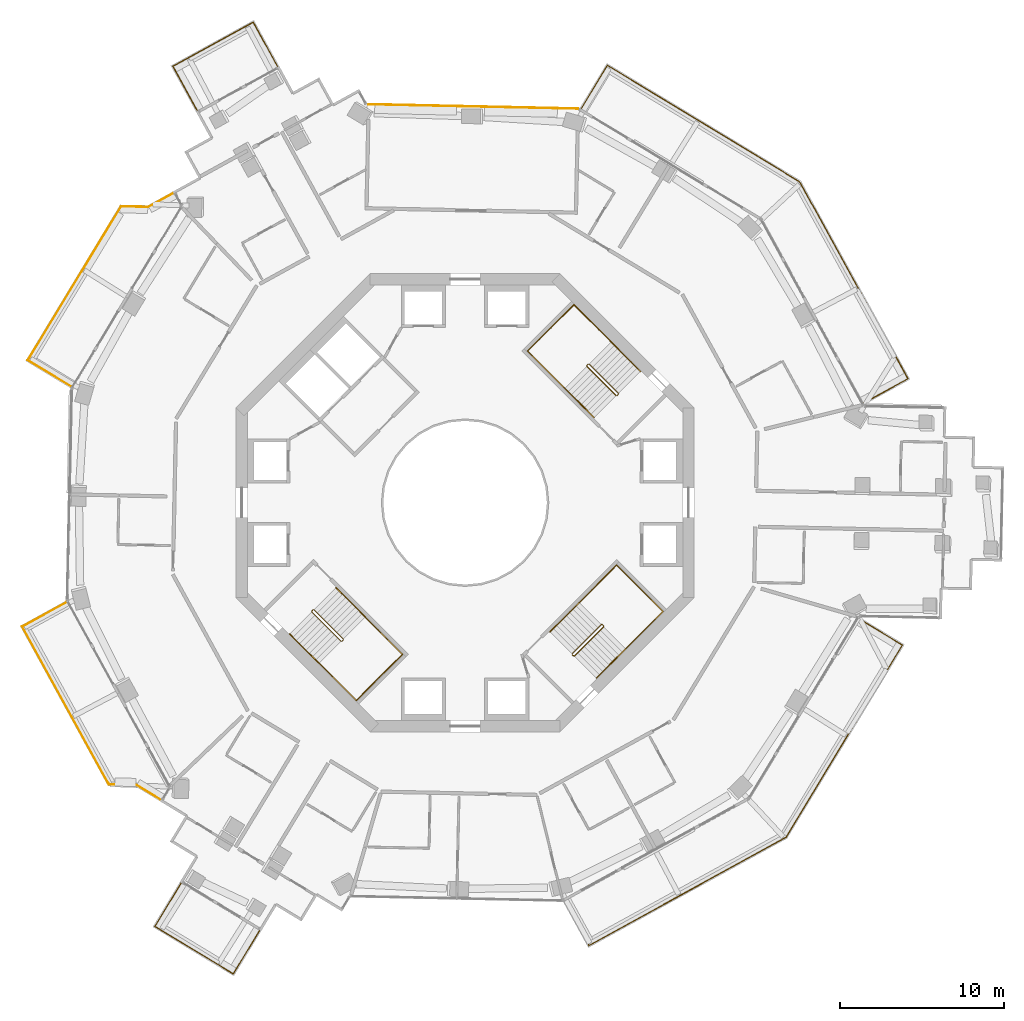
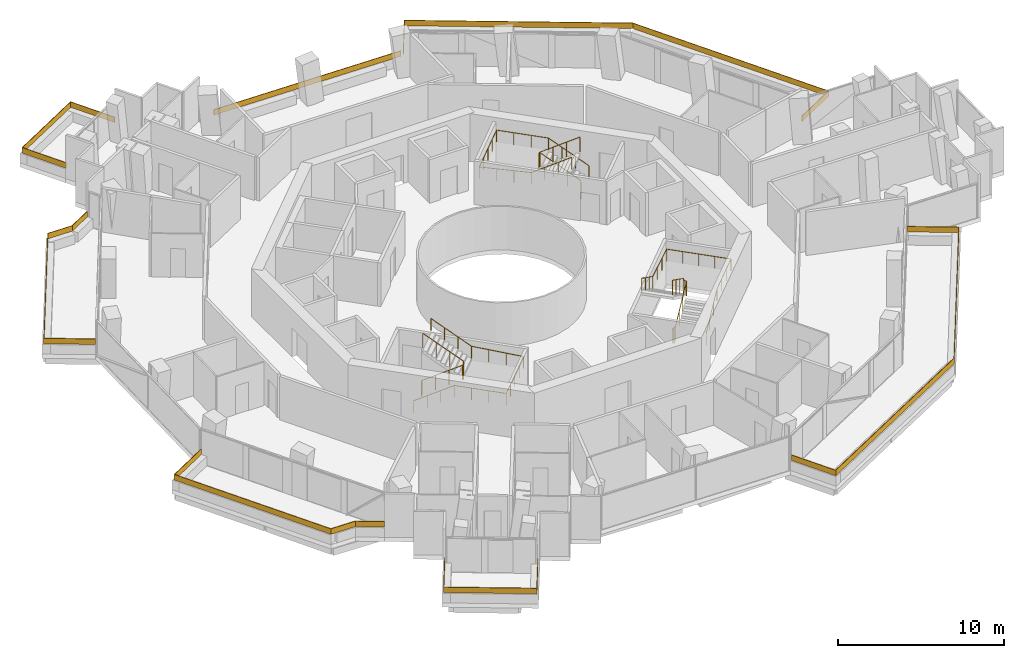
# One storey, part 22 of 22: 13 railings.
"""IFC4 building model written with IfcOpenShell, lengths in metres."""

from ifc_helpers import new_model, si_unit, direction, frame, origin, origin_2d, place, context, subcontext, project, spatial, polyline, rectangle, circle, outline, extrude, material, layer, layer_set, type_object, element, save


model = new_model("IFC4")

# Units and contexts
model_context = context("Model", 3, precision=1e-05, world=origin(), true_north=direction((0.0, 1.0)))
body_context = subcontext(model_context, "Body", "Model", "MODEL_VIEW")
ifc_project = project(units=[si_unit("LENGTHUNIT", "METRE"), si_unit("AREAUNIT", "SQUARE_METRE"), si_unit("VOLUMEUNIT", "CUBIC_METRE"), si_unit("PLANEANGLEUNIT", "RADIAN"), si_unit("MASSUNIT", "GRAM", prefix="KILO")], contexts=[model_context])

# Site, building, storey
site_placement = place(None, origin())
site = spatial("IfcSite", under=ifc_project, at=site_placement, CompositionType="ELEMENT")
building_placement = place(site_placement, origin())
building = spatial("IfcBuilding", under=site, at=building_placement, Name="Verdalira Terraces Hotel", CompositionType="ELEMENT")
storey_placement = place(building_placement, frame((0.0, 0.0, 150.5)))
storey = spatial("IfcBuildingStorey", under=building, at=storey_placement, Name="L36", CompositionType="ELEMENT", Elevation=150.5)

# Railings
ifc_material_1 = material(Name="Laminated glass", Category="glass")
ifc_layer = layer(ifc_material_1, 0.0400390625)
ifc_layer_set = layer_set([ifc_layer], Name="Balcony glass guard 400")
railing_type_1 = type_object("IfcRailingType", Name="Balcony glass guard 400", PredefinedType="GUARDRAIL", material=ifc_layer_set)
railing_1_placement = place(storey_placement, frame((0.0, 0.0, 0.699951)))
element("IfcRailing", 1, at=railing_1_placement, inside=storey, type_object=railing_type_1, Name="Balcony glass guard", PredefinedType="GUARDRAIL", context=body_context, shape_type="SweptSolid", body=[
    extrude(outline(polyline([(-12.950195, 29.327148), (-17.82251, 26.648438), (-16.339111, 23.950439), (-16.374268, 23.931152), (-17.876953, 26.664307), (-12.93457, 29.381348), (-11.431885, 26.648193), (-11.467041, 26.628906), (-12.950195, 29.327148)])), origin(), (0.0, 0.0, 1.0), 0.400146),
])
railing_2_placement = place(storey_placement, frame((0.0, 0.0, 0.699951)))
element("IfcRailing", 2, at=railing_2_placement, inside=storey, type_object=railing_type_1, Name="Balcony glass guard", PredefinedType="GUARDRAIL", context=body_context, shape_type="SweptSolid", body=[
    extrude(outline(polyline([(-19.352539, 18.047607), (-21.01001, 18.082275), (-26.689209, 8.704834), (-24.055664, 7.109863), (-24.076416, 7.075439), (-26.744141, 8.691162), (-21.032227, 18.122803), (-19.362305, 18.087891), (-17.82666, 18.932129), (-17.807373, 18.896973), (-19.352539, 18.047607)])), origin(), (0.0, 0.0, 1.0), 0.400146),
])
railing_3_placement = place(storey_placement, frame((0.0, 0.0, 0.699951)))
element("IfcRailing", 3, at=railing_3_placement, inside=storey, type_object=railing_type_1, Name="Balcony glass guard", PredefinedType="GUARDRAIL", context=body_context, shape_type="SweptSolid", body=[
    extrude(outline(polyline([(-27.030273, -7.57959), (-21.748779, -17.186523), (-20.091309, -17.221436), (-18.583008, -18.134766), (-18.60376, -18.168945), (-20.102783, -17.26123), (-21.772705, -17.226074), (-27.084717, -7.563721), (-24.351562, -6.061035), (-24.332275, -6.096191), (-27.030273, -7.57959)])), origin(), (0.0, 0.0, 1.0), 0.400146),
])
railing_4_placement = place(storey_placement, frame((0.0, 0.0, 0.699951)))
element("IfcRailing", 4, at=railing_4_placement, inside=storey, type_object=railing_type_1, Name="Balcony glass guard", PredefinedType="GUARDRAIL", context=body_context, shape_type="SweptSolid", body=[
    extrude(outline(polyline([(-18.922852, -25.878906), (-14.166992, -28.759033), (-12.572021, -26.125244), (-12.537842, -26.145996), (-14.153564, -28.813965), (-18.977783, -25.892334), (-17.362061, -23.224365), (-17.327881, -23.245117), (-18.922852, -25.878906)])), origin(), (0.0, 0.0, 1.0), 0.400146),
])
railing_5_placement = place(storey_placement, frame((0.0, 0.0, 0.699951)))
element("IfcRailing", 5, at=railing_5_placement, inside=storey, type_object=railing_type_1, Name="Balcony glass guard", PredefinedType="GUARDRAIL", context=body_context, shape_type="SweptSolid", body=[
    extrude(outline(polyline([(7.57959, -27.030273), (19.5896, -20.427734), (26.689209, -8.704834), (24.055664, -7.109863), (24.076416, -7.075439), (26.744141, -8.691162), (19.618164, -20.457764), (7.563721, -27.084717), (6.061035, -24.351562), (6.096191, -24.332275), (7.57959, -27.030273)])), origin(), (0.0, 0.0, 1.0), 0.400146),
])
railing_6_placement = place(storey_placement, frame((0.0, 0.0, 0.699951)))
element("IfcRailing", 6, at=railing_6_placement, inside=storey, type_object=railing_type_1, Name="Balcony glass guard", PredefinedType="GUARDRAIL", context=body_context, shape_type="SweptSolid", body=[
    extrude(outline(polyline([(27.030273, 7.57959), (20.427734, 19.5896), (8.704834, 26.689209), (7.109863, 24.055664), (7.075439, 24.076416), (8.691162, 26.744141), (20.457764, 19.618164), (27.084717, 7.563721), (24.351562, 6.061035), (24.332275, 6.096191), (27.030273, 7.57959)])), origin(), (0.0, 0.0, 1.0), 0.400146),
])
railing_7_placement = place(storey_placement, frame((0.50708, 24.203125, 0.699951), z_axis=(0.0, 0.0, 1.0), x_axis=(-0.999780683, 0.02094242, 0.0)))
element("IfcRailing", 7, at=railing_7_placement, inside=storey, type_object=railing_type_1, Name="Loggia glass guard", PredefinedType="GUARDRAIL", context=body_context, shape_type="SweptSolid", body=[
    extrude(rectangle(XDim=12.840088, YDim=0.040039, at=origin_2d()), origin(), (0.0, 0.0, 1.0), 0.399902),
])
ifc_material_2 = material(Name="Stainless steel", Category="steel")
railing_type_2 = type_object("IfcRailingType", Name="Stair guard 1100", PredefinedType="GUARDRAIL", material=ifc_material_2)
railing_8_placement = place(storey_placement, frame((9.369141, 6.611328, 0.0)))
element("IfcRailing", 8, at=railing_8_placement, inside=storey, type_object=railing_type_2, Name="L36 ST1 stair guard 1", PredefinedType="GUARDRAIL", context=body_context, shape_type="SweptSolid", body=[
    extrude(circle(Radius=0.023926, at=origin_2d()), frame((0.0, 0.0, 1.076172), z_axis=(-0.70832698, -0.705884473, 0.0), x_axis=(0.705884473, -0.70832698, 0.0)), (0.0, 0.0, 1.0), 0.099854),
    extrude(circle(Radius=0.023926, at=origin_2d()), frame((-0.070801, -0.070557, 1.076172), z_axis=(0.300162975, 0.599290904, 0.742127078), x_axis=(-0.894118129, 0.447831187, 0.0)), (0.0, 0.0, 1.0), 0.23584),
    extrude(circle(Radius=0.023926, at=origin_2d()), frame((0.0, 0.070801, 1.250977), z_axis=(-0.599637504, 0.599637504, 0.52997144), x_axis=(-0.707106781, -0.707106781, 0.0)), (0.0, 0.0, 1.0), 2.97168),
    extrude(circle(Radius=0.023926, at=origin_2d()), frame((-1.781982, 1.852783, 2.826172), z_axis=(-1.0, 0.0, 0.0), x_axis=(0.0, -1.0, 0.0)), (0.0, 0.0, 1.0), 0.070557),
    extrude(circle(Radius=0.023926, at=origin_2d()), frame((-1.852539, 1.852783, 2.826172), z_axis=(-0.707106781, -0.707106781, 0.0), x_axis=(0.707106781, -0.707106781, 0.0)), (0.0, 0.0, 1.0), 0.100098),
    extrude(circle(Radius=0.023926, at=origin_2d()), frame((-1.92334, 1.781982, 2.826172), z_axis=(0.0, -0.373842709, 0.927492118), x_axis=(1.0, 0.0, 0.0)), (0.0, 0.0, 1.0), 0.188721),
    extrude(circle(Radius=0.023926, at=origin_2d()), frame((-1.92334, 1.711426, 3.000977), z_axis=(0.599637504, -0.599637504, 0.52997144), x_axis=(0.707106781, 0.707106781, 0.0)), (0.0, 0.0, 1.0), 2.97168),
    extrude(circle(Radius=0.020996, at=origin_2d()), origin(), (0.0, 0.0, 1.0), 1.052002),
    extrude(circle(Radius=0.020996, at=origin_2d()), frame((-0.070801, -0.070557, 0.0)), (0.0, 0.0, 1.0), 1.052002),
    extrude(circle(Radius=0.020996, at=origin_2d()), frame((0.0, 0.070801, 0.175049)), (0.0, 0.0, 1.0), 1.052002),
    extrude(circle(Radius=0.020996, at=origin_2d()), frame((-0.593994, 0.664795, 0.699951)), (0.0, 0.0, 1.0), 1.052002),
    extrude(circle(Radius=0.020996, at=origin_2d()), frame((-1.187988, 1.258789, 1.225098)), (0.0, 0.0, 1.0), 1.052002),
    extrude(circle(Radius=0.020996, at=origin_2d()), frame((-1.781982, 1.852783, 1.75)), (0.0, 0.0, 1.0), 1.052002),
    extrude(circle(Radius=0.020996, at=origin_2d()), frame((-1.852539, 1.852783, 1.75)), (0.0, 0.0, 1.0), 1.052002),
    extrude(circle(Radius=0.020996, at=origin_2d()), frame((-1.92334, 1.781982, 1.75)), (0.0, 0.0, 1.0), 1.052002),
    extrude(circle(Radius=0.020996, at=origin_2d()), frame((-1.92334, 1.711426, 1.925049)), (0.0, 0.0, 1.0), 1.052002),
    extrude(circle(Radius=0.020996, at=origin_2d()), frame((-1.329346, 1.117432, 2.449951)), (0.0, 0.0, 1.0), 1.052002),
    extrude(circle(Radius=0.020996, at=origin_2d()), frame((-0.735352, 0.523438, 2.975098)), (0.0, 0.0, 1.0), 1.052002),
    extrude(circle(Radius=0.020996, at=origin_2d()), frame((-0.141357, -0.070557, 3.5)), (0.0, 0.0, 1.0), 1.052002),
])
railing_9_placement = place(storey_placement, frame((-9.369141, -6.611328, 0.0)))
element("IfcRailing", 9, at=railing_9_placement, inside=storey, type_object=railing_type_2, Name="L36 ST2 stair guard 1", PredefinedType="GUARDRAIL", context=body_context, shape_type="SweptSolid", body=[
    extrude(circle(Radius=0.023926, at=origin_2d()), frame((0.0, 0.0, 1.076172), z_axis=(0.70832698, 0.705884473, 0.0), x_axis=(-0.705884473, 0.70832698, 0.0)), (0.0, 0.0, 1.0), 0.099854),
    extrude(circle(Radius=0.023926, at=origin_2d()), frame((0.070801, 0.070557, 1.076172), z_axis=(-0.300162975, -0.599290904, 0.742127078), x_axis=(0.894118129, -0.447831187, 0.0)), (0.0, 0.0, 1.0), 0.23584),
    extrude(circle(Radius=0.023926, at=origin_2d()), frame((0.0, -0.070801, 1.250977), z_axis=(0.599637504, -0.599637504, 0.52997144), x_axis=(0.707106781, 0.707106781, 0.0)), (0.0, 0.0, 1.0), 2.97168),
    extrude(circle(Radius=0.023926, at=origin_2d()), frame((1.781982, -1.852783, 2.826172), z_axis=(1.0, 0.0, 0.0), x_axis=(0.0, 1.0, 0.0)), (0.0, 0.0, 1.0), 0.070557),
    extrude(circle(Radius=0.023926, at=origin_2d()), frame((1.852539, -1.852783, 2.826172), z_axis=(0.707106781, 0.707106781, 0.0), x_axis=(-0.707106781, 0.707106781, 0.0)), (0.0, 0.0, 1.0), 0.100098),
    extrude(circle(Radius=0.023926, at=origin_2d()), frame((1.92334, -1.781982, 2.826172), z_axis=(0.0, 0.373842709, 0.927492118), x_axis=(-1.0, 0.0, 0.0)), (0.0, 0.0, 1.0), 0.188721),
    extrude(circle(Radius=0.023926, at=origin_2d()), frame((1.92334, -1.711426, 3.000977), z_axis=(-0.599637504, 0.599637504, 0.52997144), x_axis=(-0.707106781, -0.707106781, 0.0)), (0.0, 0.0, 1.0), 2.97168),
    extrude(circle(Radius=0.020996, at=origin_2d()), origin(), (0.0, 0.0, 1.0), 1.052002),
    extrude(circle(Radius=0.020996, at=origin_2d()), frame((0.070801, 0.070557, 0.0)), (0.0, 0.0, 1.0), 1.052002),
    extrude(circle(Radius=0.020996, at=origin_2d()), frame((0.0, -0.070801, 0.175049)), (0.0, 0.0, 1.0), 1.052002),
    extrude(circle(Radius=0.020996, at=origin_2d()), frame((0.593994, -0.664795, 0.699951)), (0.0, 0.0, 1.0), 1.052002),
    extrude(circle(Radius=0.020996, at=origin_2d()), frame((1.187988, -1.258789, 1.225098)), (0.0, 0.0, 1.0), 1.052002),
    extrude(circle(Radius=0.020996, at=origin_2d()), frame((1.781982, -1.852783, 1.75)), (0.0, 0.0, 1.0), 1.052002),
    extrude(circle(Radius=0.020996, at=origin_2d()), frame((1.852539, -1.852783, 1.75)), (0.0, 0.0, 1.0), 1.052002),
    extrude(circle(Radius=0.020996, at=origin_2d()), frame((1.92334, -1.781982, 1.75)), (0.0, 0.0, 1.0), 1.052002),
    extrude(circle(Radius=0.020996, at=origin_2d()), frame((1.92334, -1.711426, 1.925049)), (0.0, 0.0, 1.0), 1.052002),
    extrude(circle(Radius=0.020996, at=origin_2d()), frame((1.329346, -1.117432, 2.449951)), (0.0, 0.0, 1.0), 1.052002),
    extrude(circle(Radius=0.020996, at=origin_2d()), frame((0.735352, -0.523438, 2.975098)), (0.0, 0.0, 1.0), 1.052002),
    extrude(circle(Radius=0.020996, at=origin_2d()), frame((0.141357, 0.070557, 3.5)), (0.0, 0.0, 1.0), 1.052002),
])
railing_10_placement = place(storey_placement, frame((6.611328, -9.369141, 0.0)))
element("IfcRailing", 10, at=railing_10_placement, inside=storey, type_object=railing_type_2, Name="L36 ST3 stair guard 1", PredefinedType="GUARDRAIL", context=body_context, shape_type="SweptSolid", body=[
    extrude(circle(Radius=0.023926, at=origin_2d()), frame((0.0, 0.0, 1.076172), z_axis=(-0.705884473, 0.70832698, 0.0), x_axis=(-0.70832698, -0.705884473, 0.0)), (0.0, 0.0, 1.0), 0.099854),
    extrude(circle(Radius=0.023926, at=origin_2d()), frame((-0.070557, 0.070801, 1.076172), z_axis=(0.599290904, -0.300162975, 0.742127078), x_axis=(0.447831187, 0.894118129, 0.0)), (0.0, 0.0, 1.0), 0.23584),
    extrude(circle(Radius=0.023926, at=origin_2d()), frame((0.070801, 0.0, 1.250977), z_axis=(0.599637504, 0.599637504, 0.52997144), x_axis=(-0.707106781, 0.707106781, 0.0)), (0.0, 0.0, 1.0), 2.97168),
    extrude(circle(Radius=0.023926, at=origin_2d()), frame((1.852783, 1.781982, 2.826172), z_axis=(0.0, 1.0, 0.0), x_axis=(-1.0, 0.0, 0.0)), (0.0, 0.0, 1.0), 0.070557),
    extrude(circle(Radius=0.023926, at=origin_2d()), frame((1.852783, 1.852539, 2.826172), z_axis=(-0.707106781, 0.707106781, 0.0), x_axis=(-0.707106781, -0.707106781, 0.0)), (0.0, 0.0, 1.0), 0.100098),
    extrude(circle(Radius=0.023926, at=origin_2d()), frame((1.781982, 1.92334, 2.826172), z_axis=(-0.373842709, 0.0, 0.927492118), x_axis=(0.0, -1.0, 0.0)), (0.0, 0.0, 1.0), 0.188721),
    extrude(circle(Radius=0.023926, at=origin_2d()), frame((1.711426, 1.92334, 3.000977), z_axis=(-0.599637504, -0.599637504, 0.52997144), x_axis=(0.707106781, -0.707106781, 0.0)), (0.0, 0.0, 1.0), 2.97168),
    extrude(circle(Radius=0.020996, at=origin_2d()), origin(), (0.0, 0.0, 1.0), 1.052002),
    extrude(circle(Radius=0.020996, at=origin_2d()), frame((-0.070557, 0.070801, 0.0)), (0.0, 0.0, 1.0), 1.052002),
    extrude(circle(Radius=0.020996, at=origin_2d()), frame((0.070801, 0.0, 0.175049)), (0.0, 0.0, 1.0), 1.052002),
    extrude(circle(Radius=0.020996, at=origin_2d()), frame((0.664795, 0.593994, 0.699951)), (0.0, 0.0, 1.0), 1.052002),
    extrude(circle(Radius=0.020996, at=origin_2d()), frame((1.258789, 1.187988, 1.225098)), (0.0, 0.0, 1.0), 1.052002),
    extrude(circle(Radius=0.020996, at=origin_2d()), frame((1.852783, 1.781982, 1.75)), (0.0, 0.0, 1.0), 1.052002),
    extrude(circle(Radius=0.020996, at=origin_2d()), frame((1.852783, 1.852539, 1.75)), (0.0, 0.0, 1.0), 1.052002),
    extrude(circle(Radius=0.020996, at=origin_2d()), frame((1.781982, 1.92334, 1.75)), (0.0, 0.0, 1.0), 1.052002),
    extrude(circle(Radius=0.020996, at=origin_2d()), frame((1.711426, 1.92334, 1.925049)), (0.0, 0.0, 1.0), 1.052002),
    extrude(circle(Radius=0.020996, at=origin_2d()), frame((1.117432, 1.329346, 2.449951)), (0.0, 0.0, 1.0), 1.052002),
    extrude(circle(Radius=0.020996, at=origin_2d()), frame((0.523438, 0.735352, 2.975098)), (0.0, 0.0, 1.0), 1.052002),
    extrude(circle(Radius=0.020996, at=origin_2d()), frame((-0.070557, 0.141357, 3.5)), (0.0, 0.0, 1.0), 1.052002),
])
ifc_material_3 = material(Name="Stainless steel", Category="steel")
railing_type_3 = type_object("IfcRailingType", Name="Stair handrail 900", PredefinedType="HANDRAIL", material=ifc_material_3)
railing_11_placement = place(storey_placement, frame((10.712646, 8.025635, 0.175049)))
element("IfcRailing", 11, at=railing_11_placement, inside=storey, type_object=railing_type_3, Name="L36 ST1 stair handrail 1", PredefinedType="HANDRAIL", context=body_context, shape_type="SweptSolid", body=[
    extrude(circle(Radius=0.023926, at=origin_2d()), frame((0.0, 0.0, 0.875977), z_axis=(-0.599637504, 0.599637504, 0.52997144), x_axis=(-0.707106781, -0.707106781, 0.0)), (0.0, 0.0, 1.0), 2.97168),
    extrude(circle(Radius=0.023926, at=origin_2d()), frame((-1.781982, 1.781982, 2.450684), z_axis=(-0.707106781, 0.707106781, 0.0), x_axis=(-0.707106781, -0.707106781, 0.0)), (0.0, 0.0, 1.0), 3.22998),
    extrude(circle(Radius=0.023926, at=origin_2d()), frame((-4.065918, 4.065918, 2.450684), z_axis=(-0.707106781, -0.707106781, 0.0), x_axis=(0.707106781, -0.707106781, 0.0)), (0.0, 0.0, 1.0), 4.0),
    extrude(circle(Radius=0.023926, at=origin_2d()), frame((-6.894287, 1.237549, 2.450684), z_axis=(0.706070637, -0.706070637, 0.054115729), x_axis=(0.707106781, 0.707106781, 0.0)), (0.0, 0.0, 1.0), 3.234619),
    extrude(circle(Radius=0.023926, at=origin_2d()), frame((-4.610352, -1.046387, 2.625977), z_axis=(0.599637504, -0.599637504, 0.52997144), x_axis=(0.707106781, 0.707106781, 0.0)), (0.0, 0.0, 1.0), 2.97168),
    extrude(circle(Radius=0.020996, at=origin_2d()), origin(), (0.0, 0.0, 1.0), 0.851807),
    extrude(circle(Radius=0.020996, at=origin_2d()), frame((-0.593994, 0.593994, 0.524902)), (0.0, 0.0, 1.0), 0.851807),
    extrude(circle(Radius=0.020996, at=origin_2d()), frame((-1.187988, 1.187988, 1.050049)), (0.0, 0.0, 1.0), 0.851807),
    extrude(circle(Radius=0.020996, at=origin_2d()), frame((-1.781982, 1.781982, 1.574951)), (0.0, 0.0, 1.0), 0.851807),
    extrude(circle(Radius=0.020996, at=origin_2d()), frame((-2.543213, 2.543213, 1.574951)), (0.0, 0.0, 1.0), 0.851807),
    extrude(circle(Radius=0.020996, at=origin_2d()), frame((-3.304688, 3.304688, 1.574951)), (0.0, 0.0, 1.0), 0.851807),
    extrude(circle(Radius=0.020996, at=origin_2d()), frame((-4.065918, 4.065918, 1.574951)), (0.0, 0.0, 1.0), 0.851807),
    extrude(circle(Radius=0.020996, at=origin_2d()), frame((-4.772949, 3.358887, 1.574951)), (0.0, 0.0, 1.0), 0.851807),
    extrude(circle(Radius=0.020996, at=origin_2d()), frame((-5.47998, 2.651855, 1.574951)), (0.0, 0.0, 1.0), 0.851807),
    extrude(circle(Radius=0.020996, at=origin_2d()), frame((-6.187256, 1.94458, 1.574951)), (0.0, 0.0, 1.0), 0.851807),
    extrude(circle(Radius=0.020996, at=origin_2d()), frame((-6.894287, 1.237549, 1.574951)), (0.0, 0.0, 1.0), 0.851807),
    extrude(circle(Radius=0.020996, at=origin_2d()), frame((-6.133057, 0.476318, 1.633301)), (0.0, 0.0, 1.0), 0.851807),
    extrude(circle(Radius=0.020996, at=origin_2d()), frame((-5.371582, -0.285156, 1.69165)), (0.0, 0.0, 1.0), 0.851807),
    extrude(circle(Radius=0.020996, at=origin_2d()), frame((-4.610352, -1.046387, 1.75)), (0.0, 0.0, 1.0), 0.851807),
    extrude(circle(Radius=0.020996, at=origin_2d()), frame((-4.016357, -1.640381, 2.274902)), (0.0, 0.0, 1.0), 0.851807),
    extrude(circle(Radius=0.020996, at=origin_2d()), frame((-3.422363, -2.234375, 2.800049)), (0.0, 0.0, 1.0), 0.851807),
    extrude(circle(Radius=0.020996, at=origin_2d()), frame((-2.828369, -2.828369, 3.324951)), (0.0, 0.0, 1.0), 0.851807),
])
railing_12_placement = place(storey_placement, frame((-10.712646, -8.025635, 0.175049)))
element("IfcRailing", 12, at=railing_12_placement, inside=storey, type_object=railing_type_3, Name="L36 ST2 stair handrail 1", PredefinedType="HANDRAIL", context=body_context, shape_type="SweptSolid", body=[
    extrude(circle(Radius=0.023926, at=origin_2d()), frame((0.0, 0.0, 0.875977), z_axis=(0.599637504, -0.599637504, 0.52997144), x_axis=(0.707106781, 0.707106781, 0.0)), (0.0, 0.0, 1.0), 2.97168),
    extrude(circle(Radius=0.023926, at=origin_2d()), frame((1.781982, -1.781982, 2.450684), z_axis=(0.707106781, -0.707106781, 0.0), x_axis=(0.707106781, 0.707106781, 0.0)), (0.0, 0.0, 1.0), 3.22998),
    extrude(circle(Radius=0.023926, at=origin_2d()), frame((4.065918, -4.065918, 2.450684), z_axis=(0.707106781, 0.707106781, 0.0), x_axis=(-0.707106781, 0.707106781, 0.0)), (0.0, 0.0, 1.0), 4.0),
    extrude(circle(Radius=0.023926, at=origin_2d()), frame((6.894287, -1.237549, 2.450684), z_axis=(-0.706070637, 0.706070637, 0.054115729), x_axis=(-0.707106781, -0.707106781, 0.0)), (0.0, 0.0, 1.0), 3.234619),
    extrude(circle(Radius=0.023926, at=origin_2d()), frame((4.610352, 1.046387, 2.625977), z_axis=(-0.599637504, 0.599637504, 0.52997144), x_axis=(-0.707106781, -0.707106781, 0.0)), (0.0, 0.0, 1.0), 2.97168),
    extrude(circle(Radius=0.020996, at=origin_2d()), origin(), (0.0, 0.0, 1.0), 0.851807),
    extrude(circle(Radius=0.020996, at=origin_2d()), frame((0.593994, -0.593994, 0.524902)), (0.0, 0.0, 1.0), 0.851807),
    extrude(circle(Radius=0.020996, at=origin_2d()), frame((1.187988, -1.187988, 1.050049)), (0.0, 0.0, 1.0), 0.851807),
    extrude(circle(Radius=0.020996, at=origin_2d()), frame((1.781982, -1.781982, 1.574951)), (0.0, 0.0, 1.0), 0.851807),
    extrude(circle(Radius=0.020996, at=origin_2d()), frame((2.543213, -2.543213, 1.574951)), (0.0, 0.0, 1.0), 0.851807),
    extrude(circle(Radius=0.020996, at=origin_2d()), frame((3.304688, -3.304688, 1.574951)), (0.0, 0.0, 1.0), 0.851807),
    extrude(circle(Radius=0.020996, at=origin_2d()), frame((4.065918, -4.065918, 1.574951)), (0.0, 0.0, 1.0), 0.851807),
    extrude(circle(Radius=0.020996, at=origin_2d()), frame((4.772949, -3.358887, 1.574951)), (0.0, 0.0, 1.0), 0.851807),
    extrude(circle(Radius=0.020996, at=origin_2d()), frame((5.47998, -2.651855, 1.574951)), (0.0, 0.0, 1.0), 0.851807),
    extrude(circle(Radius=0.020996, at=origin_2d()), frame((6.187256, -1.94458, 1.574951)), (0.0, 0.0, 1.0), 0.851807),
    extrude(circle(Radius=0.020996, at=origin_2d()), frame((6.894287, -1.237549, 1.574951)), (0.0, 0.0, 1.0), 0.851807),
    extrude(circle(Radius=0.020996, at=origin_2d()), frame((6.133057, -0.476318, 1.633301)), (0.0, 0.0, 1.0), 0.851807),
    extrude(circle(Radius=0.020996, at=origin_2d()), frame((5.371582, 0.285156, 1.69165)), (0.0, 0.0, 1.0), 0.851807),
    extrude(circle(Radius=0.020996, at=origin_2d()), frame((4.610352, 1.046387, 1.75)), (0.0, 0.0, 1.0), 0.851807),
    extrude(circle(Radius=0.020996, at=origin_2d()), frame((4.016357, 1.640381, 2.274902)), (0.0, 0.0, 1.0), 0.851807),
    extrude(circle(Radius=0.020996, at=origin_2d()), frame((3.422363, 2.234375, 2.800049)), (0.0, 0.0, 1.0), 0.851807),
    extrude(circle(Radius=0.020996, at=origin_2d()), frame((2.828369, 2.828369, 3.324951)), (0.0, 0.0, 1.0), 0.851807),
])
railing_13_placement = place(storey_placement, frame((8.025635, -10.712646, 0.175049)))
element("IfcRailing", 13, at=railing_13_placement, inside=storey, type_object=railing_type_3, Name="L36 ST3 stair handrail 1", PredefinedType="HANDRAIL", context=body_context, shape_type="SweptSolid", body=[
    extrude(circle(Radius=0.023926, at=origin_2d()), frame((0.0, 0.0, 0.875977), z_axis=(0.599637504, 0.599637504, 0.52997144), x_axis=(-0.707106781, 0.707106781, 0.0)), (0.0, 0.0, 1.0), 2.97168),
    extrude(circle(Radius=0.023926, at=origin_2d()), frame((1.781982, 1.781982, 2.450684), z_axis=(0.707106781, 0.707106781, 0.0), x_axis=(-0.707106781, 0.707106781, 0.0)), (0.0, 0.0, 1.0), 3.22998),
    extrude(circle(Radius=0.023926, at=origin_2d()), frame((4.065918, 4.065918, 2.450684), z_axis=(-0.707106781, 0.707106781, 0.0), x_axis=(-0.707106781, -0.707106781, 0.0)), (0.0, 0.0, 1.0), 4.0),
    extrude(circle(Radius=0.023926, at=origin_2d()), frame((1.237549, 6.894287, 2.450684), z_axis=(-0.706070637, -0.706070637, 0.054115729), x_axis=(0.707106781, -0.707106781, 0.0)), (0.0, 0.0, 1.0), 3.234619),
    extrude(circle(Radius=0.023926, at=origin_2d()), frame((-1.046387, 4.610352, 2.625977), z_axis=(-0.599637504, -0.599637504, 0.52997144), x_axis=(0.707106781, -0.707106781, 0.0)), (0.0, 0.0, 1.0), 2.97168),
    extrude(circle(Radius=0.020996, at=origin_2d()), origin(), (0.0, 0.0, 1.0), 0.851807),
    extrude(circle(Radius=0.020996, at=origin_2d()), frame((0.593994, 0.593994, 0.524902)), (0.0, 0.0, 1.0), 0.851807),
    extrude(circle(Radius=0.020996, at=origin_2d()), frame((1.187988, 1.187988, 1.050049)), (0.0, 0.0, 1.0), 0.851807),
    extrude(circle(Radius=0.020996, at=origin_2d()), frame((1.781982, 1.781982, 1.574951)), (0.0, 0.0, 1.0), 0.851807),
    extrude(circle(Radius=0.020996, at=origin_2d()), frame((2.543213, 2.543213, 1.574951)), (0.0, 0.0, 1.0), 0.851807),
    extrude(circle(Radius=0.020996, at=origin_2d()), frame((3.304688, 3.304688, 1.574951)), (0.0, 0.0, 1.0), 0.851807),
    extrude(circle(Radius=0.020996, at=origin_2d()), frame((4.065918, 4.065918, 1.574951)), (0.0, 0.0, 1.0), 0.851807),
    extrude(circle(Radius=0.020996, at=origin_2d()), frame((3.358887, 4.772949, 1.574951)), (0.0, 0.0, 1.0), 0.851807),
    extrude(circle(Radius=0.020996, at=origin_2d()), frame((2.651855, 5.47998, 1.574951)), (0.0, 0.0, 1.0), 0.851807),
    extrude(circle(Radius=0.020996, at=origin_2d()), frame((1.94458, 6.187256, 1.574951)), (0.0, 0.0, 1.0), 0.851807),
    extrude(circle(Radius=0.020996, at=origin_2d()), frame((1.237549, 6.894287, 1.574951)), (0.0, 0.0, 1.0), 0.851807),
    extrude(circle(Radius=0.020996, at=origin_2d()), frame((0.476318, 6.133057, 1.633301)), (0.0, 0.0, 1.0), 0.851807),
    extrude(circle(Radius=0.020996, at=origin_2d()), frame((-0.285156, 5.371582, 1.69165)), (0.0, 0.0, 1.0), 0.851807),
    extrude(circle(Radius=0.020996, at=origin_2d()), frame((-1.046387, 4.610352, 1.75)), (0.0, 0.0, 1.0), 0.851807),
    extrude(circle(Radius=0.020996, at=origin_2d()), frame((-1.640381, 4.016357, 2.274902)), (0.0, 0.0, 1.0), 0.851807),
    extrude(circle(Radius=0.020996, at=origin_2d()), frame((-2.234375, 3.422363, 2.800049)), (0.0, 0.0, 1.0), 0.851807),
    extrude(circle(Radius=0.020996, at=origin_2d()), frame((-2.828369, 2.828369, 3.324951)), (0.0, 0.0, 1.0), 0.851807),
])

save(model, "model.ifc")
